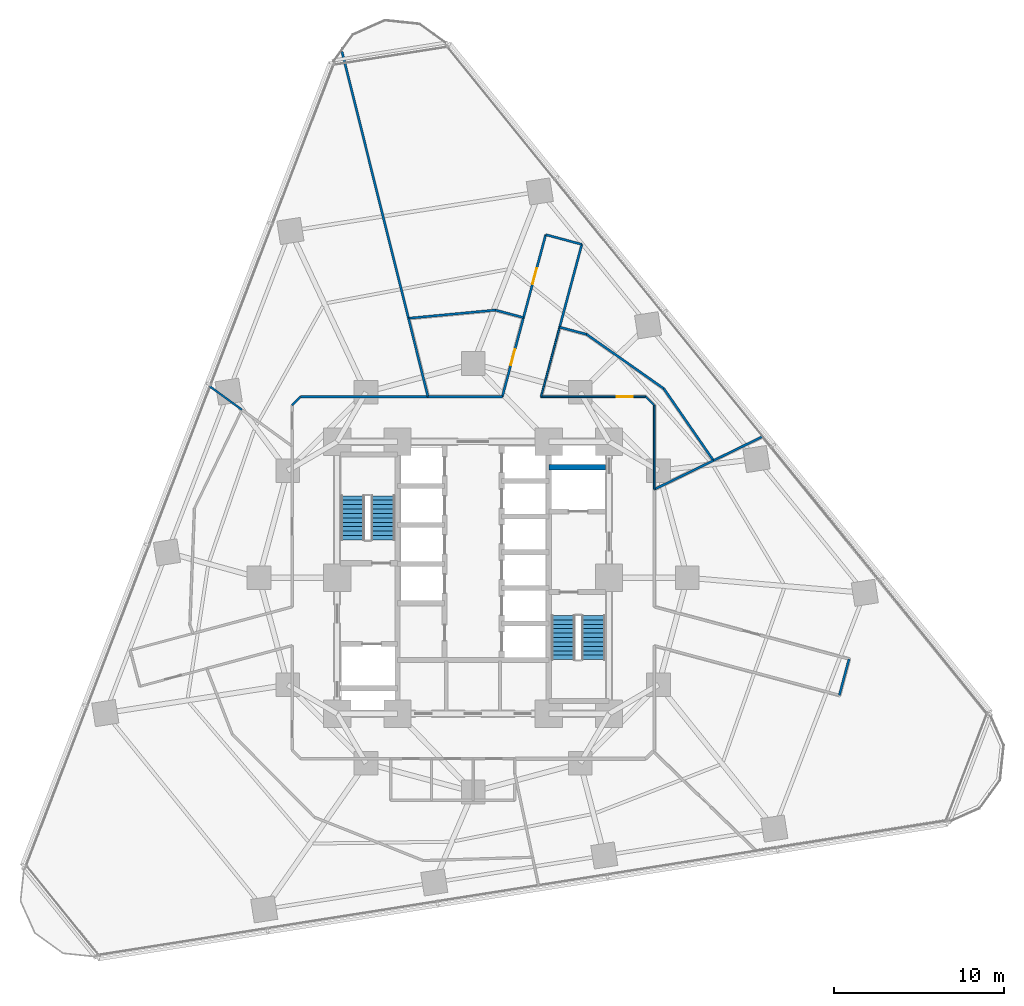
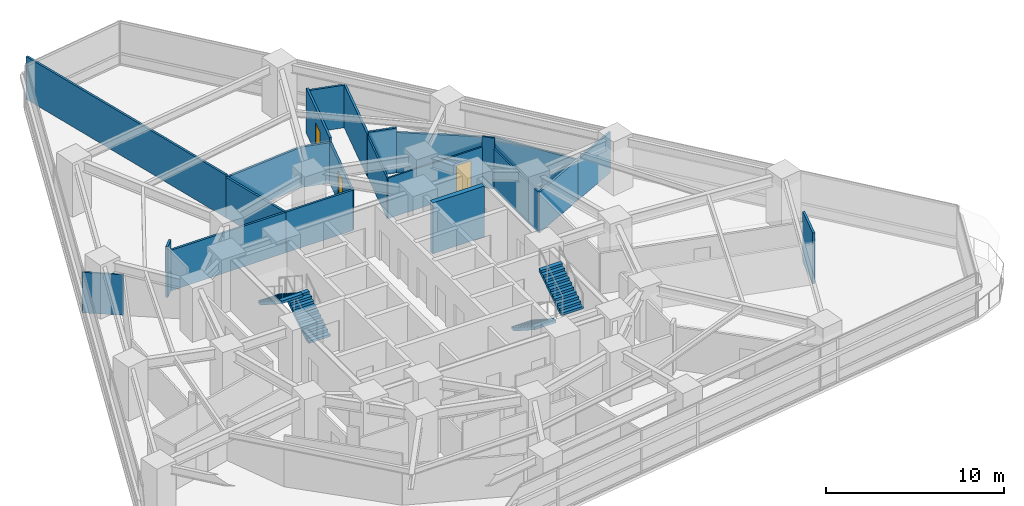
# One storey, part 9 of 14: 23 walls, 4 stair flights, 3 doors, 3 openings, 2 elements without a shape of their own.
"""IFC4 building model written with IfcOpenShell, lengths in metres."""

from ifc_helpers import new_model, si_unit, direction, frame, frame_2d, origin, place, context, subcontext, project, spatial, polyline, rectangle, outline, extrude, material, layer, layer_set, type_object, element, fill, aggregate, save


model = new_model("IFC4")

# Units and contexts
model_context = context("Model", 3, precision=1e-05, world=origin(), true_north=direction((0.0, 1.0)))
body_context = subcontext(model_context, "Body", "Model", "MODEL_VIEW")
ifc_project = project(units=[si_unit("LENGTHUNIT", "METRE"), si_unit("AREAUNIT", "SQUARE_METRE"), si_unit("VOLUMEUNIT", "CUBIC_METRE"), si_unit("PLANEANGLEUNIT", "RADIAN"), si_unit("MASSUNIT", "GRAM", prefix="KILO")], contexts=[model_context])

# Site, building, storey
site_placement = place(None, origin())
site = spatial("IfcSite", under=ifc_project, at=site_placement, CompositionType="ELEMENT")
building_placement = place(site_placement, origin())
building = spatial("IfcBuilding", under=site, at=building_placement, Name="Terralouvre Media Tower", CompositionType="ELEMENT")
storey_placement = place(building_placement, frame((0.0, 0.0, 74.10009765625)))
storey = spatial("IfcBuildingStorey", under=building, at=storey_placement, Name="L18", CompositionType="ELEMENT", Elevation=74.10009765625)

# Walls
ifc_material_1 = material(Name="Concrete C50/60", Category="concrete")
ifc_layer_1 = layer(ifc_material_1, 0.300048828125, Name="Core Internal Shaft Wall CW-300")
ifc_layer_set_1 = layer_set([ifc_layer_1], Name="Concrete C50/60")
wall_type_1 = type_object("IfcWallType", Name="Core Internal Shaft Wall CW-300", PredefinedType="SHEAR", material=ifc_layer_set_1)
wall_1_placement = place(storey_placement, frame((4.449951171875, 6.5, 0.0), z_axis=(0.0, 0.0, 1.0), x_axis=(1.0, 0.0, 0.0)))
element("IfcWall", 1, at=wall_1_placement, inside=storey, type_object=wall_type_1, Name="L18 Core Shaft Wall FF2N", PredefinedType="SHEAR", context=body_context, shape_type="SweptSolid", body=[
    extrude(rectangle(XDim=3.340087890625, YDim=0.300048828125, at=frame_2d((1.669921875, 0.0))), origin(), (0.0, 0.0, 1.0), 3.5),
])
ifc_material_2 = material(Name="Low-iron laminated double glazing with solar-control coating", Category="glass")
ifc_layer_2 = layer(ifc_material_2, 0.10009765625, Name="Demountable Glazed Office Partition PT-GL100")
ifc_layer_set_2 = layer_set([ifc_layer_2], Name="Low-iron laminated double glazing with solar-control coating")
wall_type_2 = type_object("IfcWallType", Name="Demountable Glazed Office Partition PT-GL100", PredefinedType="MOVABLE", material=ifc_layer_set_2)
wall_2_placement = place(storey_placement, frame((10.64990234375, 5.194091796875, 0.0), z_axis=(0.0, 0.0, 1.0), x_axis=(0.0, 1.0, 0.0)))
element("IfcWall", 2, at=wall_2_placement, inside=storey, type_object=wall_type_2, Name="L18 Interior Partition 020", PredefinedType="MOVABLE", context=body_context, shape_type="SweptSolid", body=[
    extrude(rectangle(XDim=4.955810546875, YDim=0.10009765625, at=frame_2d((2.47802734375, 0.0))), origin(), (0.0, 0.0, 1.0), 2.784912109375),
])
wall_3_placement = place(storey_placement, frame((10.64990234375, 10.14990234375, 0.0), z_axis=(0.0, 0.0, 1.0), x_axis=(-0.707106781187, 0.707106781187, 0.0)))
element("IfcWall", 3, at=wall_3_placement, inside=storey, type_object=wall_type_2, Name="L18 Interior Partition 021", PredefinedType="MOVABLE", context=body_context, shape_type="SweptSolid", body=[
    extrude(rectangle(XDim=0.70703125, YDim=0.10009765625, at=frame_2d((0.353515625, 0.0))), origin(), (0.0, 0.0, 1.0), 3.5),
])

# Wall, opening, door
wall_4_placement = place(storey_placement, frame((10.14990234375, 10.64990234375, 0.0), z_axis=(0.0, 0.0, 1.0), x_axis=(-1.0, 0.0, 0.0)))
wall_4 = element("IfcWall", 4, at=wall_4_placement, inside=storey, type_object=wall_type_2, Name="L18 Interior Partition 022", PredefinedType="MOVABLE", context=body_context, shape_type="SweptSolid", body=[
    extrude(rectangle(XDim=6.157958984375, YDim=0.10009765625, at=frame_2d((3.0791015625, 0.0))), origin(), (0.0, 0.0, 1.0), 2.784912109375),
])
opening_1_placement = place(wall_4_placement, frame((0.756591796875, 0.0, 0.0)))
opening_1 = element("IfcOpeningElement", 5, at=opening_1_placement, cuts=wall_4, Name="Opening ID-02-95X210", PredefinedType="OPENING", context=body_context, shape_type="SweptSolid", body=[
    extrude(rectangle(XDim=0.949951171875, YDim=2.10009765625, at=frame_2d((0.47509765625, 1.050048828125))), frame((0.0, 0.06005859375, 0.0), z_axis=(0.0, -1.0, 0.0), x_axis=(1.0, 0.0, 0.0)), (0.0, 0.0, 1.0), 0.1201171875),
])
ifc_material_3 = material(Name="Engineered hardwood acoustic timber leaf", Category="wood")
door_type = type_object("IfcDoorType", Name="Office and Meeting Room Door ID-02 (950x2100)", OperationType="NOTDEFINED", PredefinedType="DOOR", material=ifc_material_3)
door_1_placement = place(opening_1_placement, origin())
door_1 = element("IfcDoor", 6, at=door_1_placement, inside=storey, type_object=door_type, Name="L18 Program Schedule Briefing Room 7 Door", OperationType="SINGLE_SWING_RIGHT", OverallHeight=2.10009765625, OverallWidth=0.949951171875, PredefinedType="DOOR", context=body_context, shape_type="SweptSolid", body=[
    extrude(rectangle(XDim=0.949951171875, YDim=2.10009765625, at=frame_2d((0.47509765625, 1.050048828125))), frame((0.0, 0.02490234375, 0.0), z_axis=(0.0, -1.0, 0.0), x_axis=(1.0, 0.0, 0.0)), (0.0, 0.0, 1.0), 0.050048828125),
])
fill(opening_1, door_1)

# Walls
wall_5_placement = place(storey_placement, frame((3.991943359375, 10.64990234375, 0.0), z_axis=(0.0, 0.0, 1.0), x_axis=(0.258975157658, 0.965883982534, 0.0)))
element("IfcWall", 7, at=wall_5_placement, inside=storey, type_object=wall_type_2, Name="L18 Interior Partition 023", PredefinedType="MOVABLE", context=body_context, shape_type="SweptSolid", body=[
    extrude(rectangle(XDim=4.236572265625, YDim=0.10009765625, at=frame_2d((2.1181640625, 0.0))), origin(), (0.0, 0.0, 1.0), 2.784912109375),
])
ifc_material_4 = material(Name="Fire-rated gypsum board drywall partition")
ifc_layer_3 = layer(ifc_material_4, 0.135009765625, Name="Newsroom Acoustic Partition PT-135")
ifc_layer_set_3 = layer_set([ifc_layer_3], Name="Fire-rated gypsum board drywall partition")
wall_type_3 = type_object("IfcWallType", Name="Newsroom Acoustic Partition PT-135", PredefinedType="PARTITIONING", material=ifc_layer_set_3)
wall_6_placement = place(storey_placement, frame((21.544921875, -6.912109375, 0.0), z_axis=(0.0, 0.0, 1.0), x_axis=(0.259105843213, 0.965848933329, 0.0)))
element("IfcWall", 8, at=wall_6_placement, inside=storey, type_object=wall_type_3, Name="L18 Interior Partition 003", PredefinedType="PARTITIONING", context=body_context, shape_type="SweptSolid", body=[
    extrude(rectangle(XDim=2.2001953125, YDim=0.135009765625, at=frame_2d((1.10009765625, 0.0))), origin(), (0.0, 0.0, 1.0), 3.5),
])

# Wall, opening, door
wall_7_placement = place(storey_placement, frame((2.962890625, 15.305908203125, 0.0), z_axis=(0.0, 0.0, 1.0), x_axis=(-0.25886350996, -0.965913910869, 0.0)))
wall_7 = element("IfcWall", 9, at=wall_7_placement, inside=storey, type_object=wall_type_3, Name="L18 Interior Partition 010", PredefinedType="PARTITIONING", context=body_context, shape_type="SweptSolid", body=[
    extrude(rectangle(XDim=4.8203125, YDim=0.135009765625, at=frame_2d((2.41015625, 0.0))), origin(), (0.0, 0.0, 1.0), 2.784912109375),
])
opening_2_placement = place(wall_7_placement, frame((1.935302734375, 0.0, 0.0)))
opening_2 = element("IfcOpeningElement", 10, at=opening_2_placement, cuts=wall_7, Name="Opening ID-02-95X210", PredefinedType="OPENING", context=body_context, shape_type="SweptSolid", body=[
    extrude(rectangle(XDim=0.949951171875, YDim=2.10009765625, at=frame_2d((0.47509765625, 1.050048828125))), frame((0.0, 0.077392578125, 0.0), z_axis=(0.0, -1.0, 0.0), x_axis=(1.0, 0.0, 0.0)), (0.0, 0.0, 1.0), 0.155029296875),
])
door_2_placement = place(opening_2_placement, origin())
door_2 = element("IfcDoor", 11, at=door_2_placement, inside=storey, type_object=door_type, Name="L18 Editorial Collaborative Open Office 3 Door", OperationType="SINGLE_SWING_RIGHT", OverallHeight=2.10009765625, OverallWidth=0.949951171875, PredefinedType="DOOR", context=body_context, shape_type="SweptSolid", body=[
    extrude(rectangle(XDim=0.949951171875, YDim=2.10009765625, at=frame_2d((0.47509765625, 1.050048828125))), frame((0.0, 0.02490234375, 0.0), z_axis=(0.0, -1.0, 0.0), x_axis=(1.0, 0.0, 0.0)), (0.0, 0.0, 1.0), 0.050048828125),
])
fill(opening_2, door_2)

# Walls
wall_8_placement = place(storey_placement, frame((1.715087890625, 10.64990234375, 0.0), z_axis=(0.0, 0.0, 1.0), x_axis=(-1.0, 0.0, 0.0)))
element("IfcWall", 12, at=wall_8_placement, inside=storey, type_object=wall_type_3, Name="L18 Interior Partition 011", PredefinedType="PARTITIONING", context=body_context, shape_type="SweptSolid", body=[
    extrude(rectangle(XDim=4.3701171875, YDim=0.135009765625, at=frame_2d((2.18505859375, 0.0))), origin(), (0.0, 0.0, 1.0), 2.784912109375),
])
wall_9_placement = place(storey_placement, frame((5.089111328125, 14.741943359375, 0.0), z_axis=(0.0, 0.0, 1.0), x_axis=(0.258768350918, 0.965939408329, 0.0)))
element("IfcWall", 13, at=wall_9_placement, inside=storey, type_object=wall_type_3, Name="L18 Interior Partition 015", PredefinedType="PARTITIONING", context=body_context, shape_type="SweptSolid", body=[
    extrude(rectangle(XDim=5.04296875, YDim=0.135009765625, at=frame_2d((2.521484375, 0.0))), origin(), (0.0, 0.0, 1.0), 2.9248046875),
])
wall_10_placement = place(storey_placement, frame((6.39404296875, 19.613037109375, 0.0), z_axis=(0.0, 0.0, 1.0), x_axis=(-0.965848933329, 0.259105843213, 0.0)))
element("IfcWall", 14, at=wall_10_placement, inside=storey, type_object=wall_type_3, Name="L18 Interior Partition 016", PredefinedType="PARTITIONING", context=body_context, shape_type="SweptSolid", body=[
    extrude(rectangle(XDim=2.2001953125, YDim=0.135009765625, at=frame_2d((1.10009765625, 0.0))), origin(), (0.0, 0.0, 1.0), 2.9248046875),
])

# Wall, opening, door
wall_11_placement = place(storey_placement, frame((4.26904296875, 20.18310546875, 0.0), z_axis=(0.0, 0.0, 1.0), x_axis=(-0.258691774004, -0.965959919491, 0.0)))
wall_11 = element("IfcWall", 15, at=wall_11_placement, inside=storey, type_object=wall_type_3, Name="L18 Interior Partition 017", PredefinedType="PARTITIONING", context=body_context, shape_type="SweptSolid", body=[
    extrude(rectangle(XDim=5.049072265625, YDim=0.135009765625, at=frame_2d((2.5244140625, 0.0))), origin(), (0.0, 0.0, 1.0), 3.0849609375),
])
opening_3_placement = place(wall_11_placement, frame((2.04931640625, 0.0, 0.0)))
opening_3 = element("IfcOpeningElement", 16, at=opening_3_placement, cuts=wall_11, Name="Opening ID-02-95X210", PredefinedType="OPENING", context=body_context, shape_type="SweptSolid", body=[
    extrude(rectangle(XDim=0.949951171875, YDim=2.10009765625, at=frame_2d((0.47509765625, 1.050048828125))), frame((0.0, 0.077392578125, 0.0), z_axis=(0.0, -1.0, 0.0), x_axis=(1.0, 0.0, 0.0)), (0.0, 0.0, 1.0), 0.155029296875),
])
door_3_placement = place(opening_3_placement, origin())
door_3 = element("IfcDoor", 17, at=door_3_placement, inside=storey, type_object=door_type, Name="L18 Microphone Locker Store 5 Door", OperationType="SINGLE_SWING_RIGHT", OverallHeight=2.10009765625, OverallWidth=0.949951171875, PredefinedType="DOOR", context=body_context, shape_type="SweptSolid", body=[
    extrude(rectangle(XDim=0.949951171875, YDim=2.10009765625, at=frame_2d((0.47509765625, 1.050048828125))), frame((0.0, 0.02490234375, 0.0), z_axis=(0.0, -1.0, 0.0), x_axis=(1.0, 0.0, 0.0)), (0.0, 0.0, 1.0), 0.050048828125),
])
fill(opening_3, door_3)

# Walls
wall_12_placement = place(storey_placement, frame((-2.655029296875, 10.64990234375, 0.0), z_axis=(0.0, 0.0, 1.0), x_axis=(-1.0, 0.0, 0.0)))
element("IfcWall", 18, at=wall_12_placement, inside=storey, type_object=wall_type_3, Name="L18 Interior Partition 029", PredefinedType="PARTITIONING", context=body_context, shape_type="SweptSolid", body=[
    extrude(rectangle(XDim=7.494873046875, YDim=0.135009765625, at=frame_2d((3.74755859375, 0.0))), origin(), (0.0, 0.0, 1.0), 2.784912109375),
])
wall_13_placement = place(storey_placement, frame((-10.14990234375, 10.64990234375, 0.0), z_axis=(0.0, 0.0, 1.0), x_axis=(-0.707106781187, -0.707106781187, 0.0)))
element("IfcWall", 19, at=wall_13_placement, inside=storey, type_object=wall_type_3, Name="L18 Interior Partition 030", PredefinedType="PARTITIONING", context=body_context, shape_type="SweptSolid", body=[
    extrude(rectangle(XDim=0.70703125, YDim=0.135009765625, at=frame_2d((0.353515625, 0.0))), origin(), (0.0, 0.0, 1.0), 3.5),
])
wall_14_placement = place(storey_placement, frame((17.081787109375, 8.33203125, 0.0), z_axis=(0.0, 0.0, 1.0), x_axis=(-0.898652301999, -0.438661646503, 0.0)))
element("IfcWall", 20, at=wall_14_placement, inside=storey, type_object=wall_type_3, Name="L18 Interior Partition 032", PredefinedType="PARTITIONING", context=body_context, shape_type="SweptSolid", body=[
    extrude(rectangle(XDim=3.273681640625, YDim=0.135009765625, at=frame_2d((1.63671875, 0.0))), origin(), (0.0, 0.0, 1.0), 2.784912109375),
])
wall_15_placement = place(storey_placement, frame((14.139892578125, 6.89599609375, 0.0), z_axis=(0.0, 0.0, 1.0), x_axis=(-0.898822220958, -0.438313375467, 0.0)))
element("IfcWall", 21, at=wall_15_placement, inside=storey, type_object=wall_type_3, Name="L18 Interior Partition 033", PredefinedType="PARTITIONING", context=body_context, shape_type="SweptSolid", body=[
    extrude(rectangle(XDim=3.8828125, YDim=0.135009765625, at=frame_2d((1.94140625, 0.0))), origin(), (0.0, 0.0, 1.0), 2.784912109375),
])
wall_16_placement = place(storey_placement, frame((2.962890625, 15.305908203125, 0.0), z_axis=(0.0, 0.0, 1.0), x_axis=(-0.966393308076, 0.257068034001, 0.0)))
element("IfcWall", 22, at=wall_16_placement, inside=storey, type_object=wall_type_3, Name="L18 Interior Partition 045", PredefinedType="PARTITIONING", context=body_context, shape_type="SweptSolid", body=[
    extrude(rectangle(XDim=1.71240234375, YDim=0.135009765625, at=frame_2d((0.856201171875, 0.0))), origin(), (0.0, 0.0, 1.0), 2.784912109375),
])
wall_17_placement = place(storey_placement, frame((1.30810546875, 15.74609375, 0.0), z_axis=(0.0, 0.0, 1.0), x_axis=(-0.995602282193, -0.09368081817, 0.0)))
element("IfcWall", 23, at=wall_17_placement, inside=storey, type_object=wall_type_3, Name="L18 Interior Partition 046", PredefinedType="PARTITIONING", context=body_context, shape_type="SweptSolid", body=[
    extrude(rectangle(XDim=5.13671875, YDim=0.135009765625, at=frame_2d((2.568359375, 0.0))), origin(), (0.0, 0.0, 1.0), 2.784912109375),
])
wall_18_placement = place(storey_placement, frame((-3.805908203125, 15.264892578125, 0.0), z_axis=(0.0, 0.0, 1.0), x_axis=(0.241967938053, -0.970284245443, 0.0)))
element("IfcWall", 24, at=wall_18_placement, inside=storey, type_object=wall_type_3, Name="L18 Interior Partition 047", PredefinedType="PARTITIONING", context=body_context, shape_type="SweptSolid", body=[
    extrude(rectangle(XDim=4.75634765625, YDim=0.135009765625, at=frame_2d((2.378173828125, 0.0))), origin(), (0.0, 0.0, 1.0), 2.784912109375),
])
wall_19_placement = place(storey_placement, frame((5.089111328125, 14.741943359375, 0.0), z_axis=(0.0, 0.0, 1.0), x_axis=(0.966471299447, -0.256774662584, 0.0)))
element("IfcWall", 25, at=wall_19_placement, inside=storey, type_object=wall_type_3, Name="L18 Interior Partition 053", PredefinedType="PARTITIONING", context=body_context, shape_type="SweptSolid", body=[
    extrude(rectangle(XDim=1.64306640625, YDim=0.135009765625, at=frame_2d((0.821533203125, 0.0))), origin(), (0.0, 0.0, 1.0), 3.0849609375),
])
wall_20_placement = place(storey_placement, frame((6.677001953125, 14.320068359375, 0.0), z_axis=(0.0, 0.0, 1.0), x_axis=(0.817854672362, -0.575424829926, 0.0)))
element("IfcWall", 26, at=wall_20_placement, inside=storey, type_object=wall_type_3, Name="L18 Interior Partition 054", PredefinedType="PARTITIONING", context=body_context, shape_type="SweptSolid", body=[
    extrude(rectangle(XDim=5.555908203125, YDim=0.135009765625, at=frame_2d((2.77783203125, 0.0))), origin(), (0.0, 0.0, 1.0), 2.77490234375),
])
wall_21_placement = place(storey_placement, frame((11.220947265625, 11.123046875, 0.0), z_axis=(0.0, 0.0, 1.0), x_axis=(0.568225964568, -0.822872561938, 0.0)))
element("IfcWall", 27, at=wall_21_placement, inside=storey, type_object=wall_type_3, Name="L18 Interior Partition 055", PredefinedType="PARTITIONING", context=body_context, shape_type="SweptSolid", body=[
    extrude(rectangle(XDim=5.136962890625, YDim=0.135009765625, at=frame_2d((2.568359375, 0.0))), origin(), (0.0, 0.0, 1.0), 2.784912109375),
])
wall_22_placement = place(storey_placement, frame((-7.7177734375, 30.9541015625, 0.0), z_axis=(0.0, 0.0, 1.0), x_axis=(0.241928072824, -0.9702941861, 0.0)))
element("IfcWall", 28, at=wall_22_placement, inside=storey, type_object=wall_type_3, Name="L18 Interior Partition 056", PredefinedType="PARTITIONING", context=body_context, shape_type="SweptSolid", body=[
    extrude(rectangle(XDim=16.16943359375, YDim=0.135009765625, at=frame_2d((8.084716796875, 0.0))), origin(), (0.0, 0.0, 1.0), 2.934814453125),
])
ifc_material_5 = material(Name="Fire-rated gypsum board drywall partition")
ifc_layer_4 = layer(ifc_material_5, 0.114990234375, Name="Restroom and Pantry Partition PT-115")
ifc_layer_set_4 = layer_set([ifc_layer_4], Name="Fire-rated gypsum board drywall partition")
wall_type_4 = type_object("IfcWallType", Name="Restroom and Pantry Partition PT-115", PredefinedType="PARTITIONING", material=ifc_layer_set_4)
wall_23_placement = place(storey_placement, frame((-13.60302734375, 9.883056640625, 0.0), z_axis=(0.0, 0.0, 1.0), x_axis=(-0.808955448279, 0.587869953901, 0.0)))
element("IfcWall", 29, at=wall_23_placement, inside=storey, type_object=wall_type_4, Name="L18 Interior Partition 052", PredefinedType="PARTITIONING", context=body_context, shape_type="SweptSolid", body=[
    extrude(rectangle(XDim=2.357666015625, YDim=0.114990234375, at=frame_2d((1.1787109375, 0.0))), origin(), (0.0, 0.0, 1.0), 2.784912109375),
])

# Stair, stair flights
ifc_material_6 = material(Name="Concrete C45/55", Category="concrete")
stair_type_1 = type_object("IfcStairType", Name="Dogleg Stair Assembly ST-01", PredefinedType="HALF_TURN_STAIR", material=ifc_material_6)
stair_1_placement = place(storey_placement, origin())
stair_1 = element("IfcStair", 30, at=stair_1_placement, inside=storey, type_object=stair_type_1, Name="L18 Core Pressurised Exit Stair ST-01", PredefinedType="HALF_TURN_STAIR")
ifc_material_7 = material(Name="Concrete C45/55", Category="concrete")
stair_flight_type = type_object("IfcStairFlightType", Name="Reinforced Concrete Stair Flight SF-RC1", PredefinedType="STRAIGHT", material=ifc_material_7)
stair_flight_1_placement = place(storey_placement, frame((-5.300048828125, 2.219970703125, 0.0), z_axis=(0.0, 0.0, 1.0), x_axis=(0.0, 1.0, 0.0)))
stair_flight_1 = element("IfcStairFlight", 31, at=stair_flight_1_placement, type_object=stair_flight_type, Name="ST-01 flight 1", NumberOfRisers=11, NumberOfTreads=10, PredefinedType="STRAIGHT", RiserHeight=0.168181818, TreadLength=0.26, context=body_context, shape_type="SweptSolid", body=[
    extrude(outline(polyline([(0.0, 0.0), (0.0, 0.168212890625), (0.260009765625, 0.168212890625), (0.260009765625, 0.33642578125), (0.52001953125, 0.33642578125), (0.52001953125, 0.504638671875), (0.780029296875, 0.504638671875), (0.780029296875, 0.672607421875), (1.0400390625, 0.672607421875), (1.0400390625, 0.8408203125), (1.300048828125, 0.8408203125), (1.300048828125, 1.009033203125), (1.56005859375, 1.009033203125), (1.56005859375, 1.17724609375), (1.820068359375, 1.17724609375), (1.820068359375, 1.345458984375), (2.080078125, 1.345458984375), (2.080078125, 1.513671875), (2.340087890625, 1.513671875), (2.340087890625, 1.681884765625), (2.60009765625, 1.681884765625), (2.60009765625, 1.85009765625), (2.60009765625, 1.503173828125), (0.27587890625, 0.0), (0.0, 0.0)])), frame((0.0, 0.699951171875, 0.0), z_axis=(0.0, -1.0, 0.0), x_axis=(1.0, 0.0, 0.0)), (0.0, 0.0, 1.0), 1.39990234375),
])
stair_flight_2_placement = place(storey_placement, frame((-7.080078125, 4.820068359375, 1.849853515625), z_axis=(0.0, 0.0, 1.0), x_axis=(0.0, -1.0, 0.0)))
stair_flight_2 = element("IfcStairFlight", 32, at=stair_flight_2_placement, type_object=stair_flight_type, Name="ST-01 flight 2", NumberOfRisers=11, NumberOfTreads=10, PredefinedType="STRAIGHT", RiserHeight=0.168181818, TreadLength=0.26, context=body_context, shape_type="SweptSolid", body=[
    extrude(outline(polyline([(0.0, 0.0), (0.0, 0.168212890625), (0.260009765625, 0.168212890625), (0.260009765625, 0.33642578125), (0.52001953125, 0.33642578125), (0.52001953125, 0.504638671875), (0.780029296875, 0.504638671875), (0.780029296875, 0.672607421875), (1.0400390625, 0.672607421875), (1.0400390625, 0.8408203125), (1.300048828125, 0.8408203125), (1.300048828125, 1.009033203125), (1.56005859375, 1.009033203125), (1.56005859375, 1.17724609375), (1.820068359375, 1.17724609375), (1.820068359375, 1.345458984375), (2.080078125, 1.345458984375), (2.080078125, 1.513671875), (2.340087890625, 1.513671875), (2.340087890625, 1.681884765625), (2.60009765625, 1.681884765625), (2.60009765625, 1.85009765625), (2.60009765625, 1.503173828125), (0.27587890625, 0.0), (0.0, 0.0)])), frame((0.0, 0.699951171875, 0.0), z_axis=(0.0, -1.0, 0.0), x_axis=(1.0, 0.0, 0.0)), (0.0, 0.0, 1.0), 1.39990234375),
])
aggregate(stair_1, [stair_flight_1, stair_flight_2])

ifc_material_8 = material(Name="Concrete C45/55", Category="concrete")
stair_type_2 = type_object("IfcStairType", Name="Dogleg Stair Assembly ST-02", PredefinedType="HALF_TURN_STAIR", material=ifc_material_8)
stair_2_placement = place(storey_placement, origin())
stair_2 = element("IfcStair", 33, at=stair_2_placement, inside=storey, type_object=stair_type_2, Name="L18 Core Pressurised Exit Stair ST-02", PredefinedType="HALF_TURN_STAIR")
stair_flight_3_placement = place(storey_placement, frame((5.300048828125, -2.219970703125, 0.0), z_axis=(0.0, 0.0, 1.0), x_axis=(0.0, -1.0, 0.0)))
stair_flight_3 = element("IfcStairFlight", 34, at=stair_flight_3_placement, type_object=stair_flight_type, Name="ST-02 flight 1", NumberOfRisers=11, NumberOfTreads=10, PredefinedType="STRAIGHT", RiserHeight=0.168181818, TreadLength=0.26, context=body_context, shape_type="SweptSolid", body=[
    extrude(outline(polyline([(0.0, 0.0), (0.0, 0.168212890625), (0.260009765625, 0.168212890625), (0.260009765625, 0.33642578125), (0.52001953125, 0.33642578125), (0.52001953125, 0.504638671875), (0.780029296875, 0.504638671875), (0.780029296875, 0.672607421875), (1.0400390625, 0.672607421875), (1.0400390625, 0.8408203125), (1.300048828125, 0.8408203125), (1.300048828125, 1.009033203125), (1.56005859375, 1.009033203125), (1.56005859375, 1.17724609375), (1.820068359375, 1.17724609375), (1.820068359375, 1.345458984375), (2.080078125, 1.345458984375), (2.080078125, 1.513671875), (2.340087890625, 1.513671875), (2.340087890625, 1.681884765625), (2.60009765625, 1.681884765625), (2.60009765625, 1.85009765625), (2.60009765625, 1.503173828125), (0.27587890625, 0.0), (0.0, 0.0)])), frame((0.0, 0.699951171875, 0.0), z_axis=(0.0, -1.0, 0.0), x_axis=(1.0, 0.0, 0.0)), (0.0, 0.0, 1.0), 1.39990234375),
])
stair_flight_4_placement = place(storey_placement, frame((7.080078125, -4.820068359375, 1.849853515625), z_axis=(0.0, 0.0, 1.0), x_axis=(0.0, 1.0, 0.0)))
stair_flight_4 = element("IfcStairFlight", 35, at=stair_flight_4_placement, type_object=stair_flight_type, Name="ST-02 flight 2", NumberOfRisers=11, NumberOfTreads=10, PredefinedType="STRAIGHT", RiserHeight=0.168181818, TreadLength=0.26, context=body_context, shape_type="SweptSolid", body=[
    extrude(outline(polyline([(0.0, 0.0), (0.0, 0.168212890625), (0.260009765625, 0.168212890625), (0.260009765625, 0.33642578125), (0.52001953125, 0.33642578125), (0.52001953125, 0.504638671875), (0.780029296875, 0.504638671875), (0.780029296875, 0.672607421875), (1.0400390625, 0.672607421875), (1.0400390625, 0.8408203125), (1.300048828125, 0.8408203125), (1.300048828125, 1.009033203125), (1.56005859375, 1.009033203125), (1.56005859375, 1.17724609375), (1.820068359375, 1.17724609375), (1.820068359375, 1.345458984375), (2.080078125, 1.345458984375), (2.080078125, 1.513671875), (2.340087890625, 1.513671875), (2.340087890625, 1.681884765625), (2.60009765625, 1.681884765625), (2.60009765625, 1.85009765625), (2.60009765625, 1.503173828125), (0.27587890625, 0.0), (0.0, 0.0)])), frame((0.0, 0.699951171875, 0.0), z_axis=(0.0, -1.0, 0.0), x_axis=(1.0, 0.0, 0.0)), (0.0, 0.0, 1.0), 1.39990234375),
])
aggregate(stair_2, [stair_flight_3, stair_flight_4])

save(model, "model.ifc")
